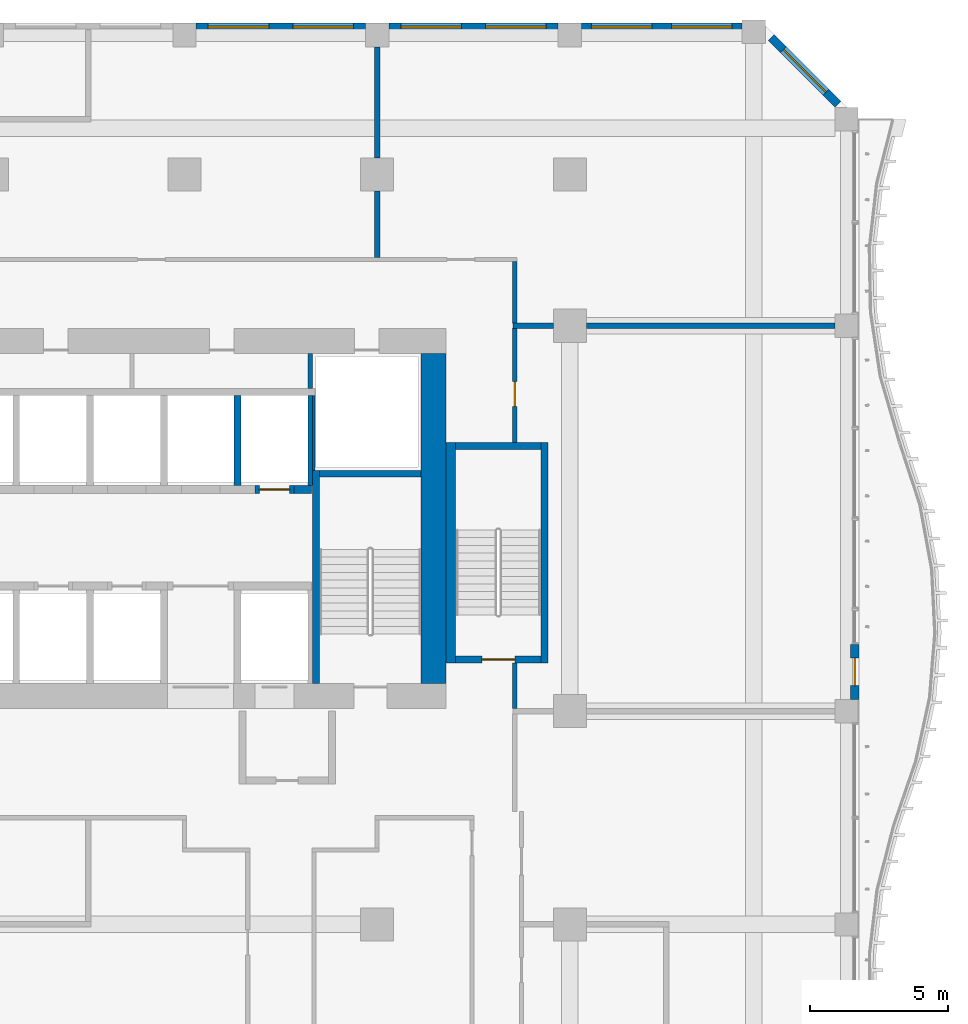
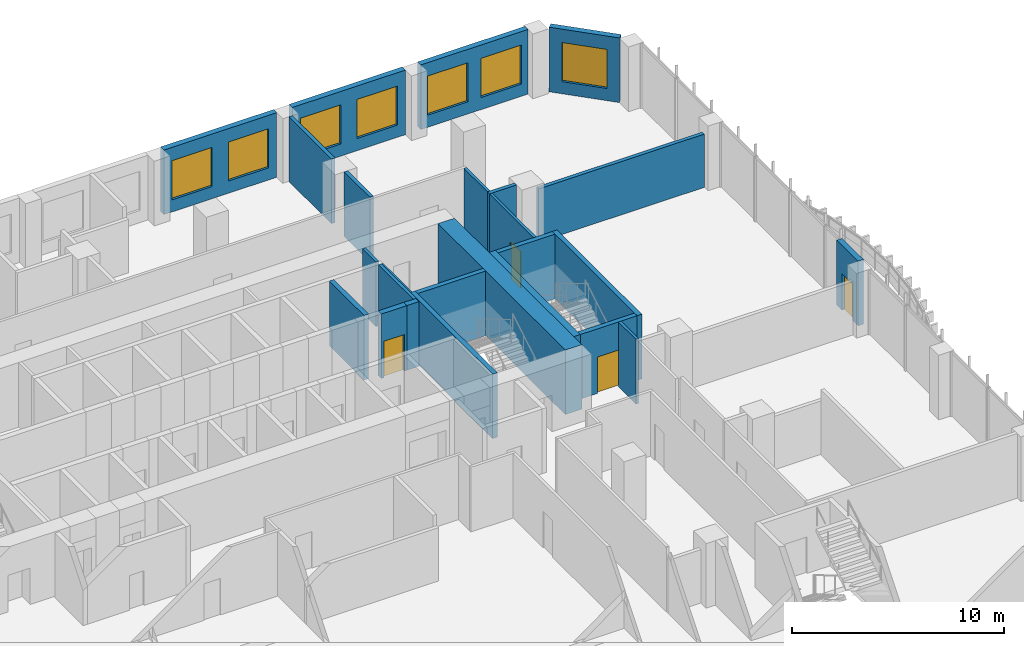
# One storey, part 17 of 26: 25 walls, 7 windows, 4 doors, 11 openings.
"""IFC4 building model written with IfcOpenShell, lengths in metres."""

from ifc_helpers import new_model, si_unit, direction, frame, frame_2d, origin, place, context, subcontext, project, spatial, rectangle, extrude, source, transform, mapped, material, layer, layer_set, type_object, element, fill, save


model = new_model("IFC4")

# Units and contexts
model_context = context("Model", 3, precision=1e-05, world=origin(), true_north=direction((0.0, 1.0)))
body_context = subcontext(model_context, "Body", "Model", "MODEL_VIEW")
ifc_project = project(units=[si_unit("LENGTHUNIT", "METRE"), si_unit("AREAUNIT", "SQUARE_METRE"), si_unit("VOLUMEUNIT", "CUBIC_METRE"), si_unit("PLANEANGLEUNIT", "RADIAN"), si_unit("MASSUNIT", "GRAM", prefix="KILO")], contexts=[model_context])

# Site, building, storey
site_placement = place(None, origin())
site = spatial("IfcSite", under=ifc_project, at=site_placement, CompositionType="ELEMENT")
building_placement = place(site_placement, origin())
building = spatial("IfcBuilding", under=site, at=building_placement, Name="Kilnfold Tower and Market Hall", CompositionType="ELEMENT")
storey_placement = place(building_placement, frame((0.0, 0.0, 104.60009765625)))
storey = spatial("IfcBuildingStorey", under=building, at=storey_placement, Name="L24", CompositionType="ELEMENT", Elevation=104.60009765625)

# Wall, opening, door
ifc_material_1 = material(Name="Gypsum board on steel studs", Category="steel")
ifc_layer_1 = layer(ifc_material_1, 0.14990234375)
ifc_layer_set_1 = layer_set([ifc_layer_1], Name="Gypsum board on steel studs")
wall_type_1 = type_object("IfcWallType", Name="WALL CORRIDOR 150", PredefinedType="PARTITIONING", material=ifc_layer_set_1)
wall_1_placement = place(storey_placement, frame((20.5, 17.75, 0.0), z_axis=(0.0, 0.0, 1.0), x_axis=(0.0, 1.0, 0.0)))
wall_1 = element("IfcWall", 1, at=wall_1_placement, inside=storey, type_object=wall_type_1, Name="Partition LY16.31", PredefinedType="PARTITIONING", context=body_context, shape_type="SweptSolid", body=[
    extrude(rectangle(XDim=4.159912109375, YDim=0.14990234375, at=frame_2d((2.080078125, 0.0))), origin(), (0.0, 0.0, 1.0), 3.719970703125),
])
opening_1_placement = place(wall_1_placement, frame((1.323974609375, 0.0, 0.0)))
opening_1 = element("IfcOpeningElement", 2, at=opening_1_placement, cuts=wall_1, Name="Opening D2", PredefinedType="OPENING", context=body_context, shape_type="SweptSolid", body=[
    extrude(rectangle(XDim=0.89990234375, YDim=2.10009765625, at=frame_2d((0.449951171875, 1.050048828125))), frame((0.0, 0.0849609375, 0.0), z_axis=(0.0, -1.0, 0.0), x_axis=(1.0, 0.0, 0.0)), (0.0, 0.0, 1.0), 0.169921875),
])
ifc_material_2 = material(Name="Timber veneer door leaf in steel frame", Category="steel")
door_type_1 = type_object("IfcDoorType", Name="DOOR ROOM 900 X2100", OperationType="NOTDEFINED", PredefinedType="DOOR", material=ifc_material_2)
door_1_placement = place(opening_1_placement, origin())
door_1 = element("IfcDoor", 3, at=door_1_placement, inside=storey, type_object=door_type_1, Name="Door D2", OperationType="SINGLE_SWING_RIGHT", OverallHeight=2.10009765625, OverallWidth=0.89990234375, PredefinedType="DOOR", context=body_context, shape_type="SweptSolid", body=[
    extrude(rectangle(XDim=0.89990234375, YDim=2.10009765625, at=frame_2d((0.449951171875, 1.050048828125))), frame((0.0, 0.02490234375, 0.0), z_axis=(0.0, -1.0, 0.0), x_axis=(1.0, 0.0, 0.0)), (0.0, 0.0, 1.0), 0.050048828125),
])
fill(opening_1, door_1)

# Walls
wall_2_placement = place(storey_placement, frame((20.5, 8.090087890625, 0.0), z_axis=(0.0, 0.0, 1.0), x_axis=(0.0, 1.0, 0.0)))
element("IfcWall", 4, at=wall_2_placement, inside=storey, type_object=wall_type_1, Name="Partition LY16.32", PredefinedType="PARTITIONING", context=body_context, shape_type="SweptSolid", body=[
    extrude(rectangle(XDim=1.659912109375, YDim=0.14990234375, at=frame_2d((0.830078125, 0.0))), origin(), (0.0, 0.0, 1.0), 3.719970703125),
])
wall_3_placement = place(storey_placement, frame((20.5, 22.090087890625, 0.0), z_axis=(0.0, 0.0, 1.0), x_axis=(0.0, 1.0, 0.0)))
element("IfcWall", 5, at=wall_3_placement, inside=storey, type_object=wall_type_1, Name="Partition LY16.33", PredefinedType="PARTITIONING", context=body_context, shape_type="SweptSolid", body=[
    extrude(rectangle(XDim=2.23486328125, YDim=0.14990234375, at=frame_2d((1.117431640625, 0.0))), origin(), (0.0, 0.0, 1.0), 3.719970703125),
])
ifc_material_3 = material(Name="Gypsum board on steel studs", Category="steel")
ifc_layer_2 = layer(ifc_material_3, 0.199951171875)
ifc_layer_set_2 = layer_set([ifc_layer_2], Name="Gypsum board on steel studs")
wall_type_2 = type_object("IfcWallType", Name="WALL PARTY 200", PredefinedType="PARTITIONING", material=ifc_layer_set_2)
wall_4_placement = place(storey_placement, frame((23.10009765625, 22.0, 0.0), z_axis=(0.0, 0.0, 1.0), x_axis=(1.0, 0.0, 0.0)))
element("IfcWall", 6, at=wall_4_placement, inside=storey, type_object=wall_type_2, Name="Partition LY16.59", PredefinedType="PARTITIONING", context=body_context, shape_type="SweptSolid", body=[
    extrude(rectangle(XDim=9.02490234375, YDim=0.199951171875, at=frame_2d((4.512451171875, 0.0))), origin(), (0.0, 0.0, 1.0), 3.06982421875),
])
wall_5_placement = place(storey_placement, frame((20.426025390625, 22.0, 0.0), z_axis=(0.0, 0.0, 1.0), x_axis=(1.0, 0.0, 0.0)))
element("IfcWall", 7, at=wall_5_placement, inside=storey, type_object=wall_type_2, Name="Partition LY16.60", PredefinedType="PARTITIONING", context=body_context, shape_type="SweptSolid", body=[
    extrude(rectangle(XDim=1.473876953125, YDim=0.199951171875, at=frame_2d((0.73681640625, 0.0))), origin(), (0.0, 0.0, 1.0), 3.719970703125),
])
wall_6_placement = place(storey_placement, frame((15.5, 28.10009765625, 0.0), z_axis=(0.0, 0.0, 1.0), x_axis=(0.0, 1.0, 0.0)))
element("IfcWall", 8, at=wall_6_placement, inside=storey, type_object=wall_type_2, Name="Partition LY16.61", PredefinedType="PARTITIONING", context=body_context, shape_type="SweptSolid", body=[
    extrude(rectangle(XDim=4.02490234375, YDim=0.199951171875, at=frame_2d((2.012451171875, 0.0))), origin(), (0.0, 0.0, 1.0), 3.719970703125),
])
wall_7_placement = place(storey_placement, frame((15.5, 24.47607421875, 0.0), z_axis=(0.0, 0.0, 1.0), x_axis=(0.0, 1.0, 0.0)))
element("IfcWall", 9, at=wall_7_placement, inside=storey, type_object=wall_type_2, Name="Partition LY16.62", PredefinedType="PARTITIONING", context=body_context, shape_type="SweptSolid", body=[
    extrude(rectangle(XDim=2.423828125, YDim=0.199951171875, at=frame_2d((1.2119140625, 0.0))), origin(), (0.0, 0.0, 1.0), 3.719970703125),
])
ifc_material_4 = material(Name="Concrete C70", Category="concrete")
ifc_layer_3 = layer(ifc_material_4, 0.25)
ifc_layer_set_3 = layer_set([ifc_layer_3], Name="Concrete C70")
wall_type_3 = type_object("IfcWallType", Name="CORE WALL 250 C70", PredefinedType="SHEAR", material=ifc_layer_set_3)
shared_shape_1 = source(origin(), body_context, "Body", "SweptSolid", [
    extrude(rectangle(XDim=7.75, YDim=0.25, at=frame_2d((3.875, 0.0))), origin(), (0.0, 0.0, 1.0), 3.719970703125),
])
wall_8_placement = place(storey_placement, frame((13.27490234375, 9.0, 0.0), z_axis=(0.0, 0.0, 1.0), x_axis=(0.0, 1.0, 0.0)))
element("IfcWall", 10, at=wall_8_placement, inside=storey, type_object=wall_type_3, Name="Stair enclosure ST2", PredefinedType="SHEAR", context=body_context, shape_type="MappedRepresentation", body=[
    mapped(shared_shape_1, transform((0.0, 0.0, 0.0))),
])
shared_shape_2 = source(origin(), body_context, "Body", "SweptSolid", [
    extrude(rectangle(XDim=3.7001953125, YDim=0.25, at=frame_2d((1.85009765625, 0.0))), origin(), (0.0, 0.0, 1.0), 3.719970703125),
])
wall_9_placement = place(storey_placement, frame((13.39990234375, 16.625, 0.0), z_axis=(0.0, 0.0, 1.0), x_axis=(1.0, 0.0, 0.0)))
element("IfcWall", 11, at=wall_9_placement, inside=storey, type_object=wall_type_3, Name="Stair enclosure ST2", PredefinedType="SHEAR", context=body_context, shape_type="MappedRepresentation", body=[
    mapped(shared_shape_2, transform((0.0, 0.0, 0.0))),
])
shared_shape_3 = source(origin(), body_context, "Body", "SweptSolid", [
    extrude(rectangle(XDim=8.0, YDim=0.25, at=frame_2d((4.0, 0.0))), origin(), (0.0, 0.0, 1.0), 3.719970703125),
])
wall_10_placement = place(storey_placement, frame((21.574951171875, 9.75, 0.0), z_axis=(0.0, 0.0, 1.0), x_axis=(0.0, 1.0, 0.0)))
element("IfcWall", 12, at=wall_10_placement, inside=storey, type_object=wall_type_3, Name="Stair enclosure ST5", PredefinedType="SHEAR", context=body_context, shape_type="MappedRepresentation", body=[
    mapped(shared_shape_3, transform((0.0, 0.0, 0.0))),
])

# Wall, opening, door
shared_shape_4 = source(origin(), body_context, "Body", "SweptSolid", [
    extrude(rectangle(XDim=3.099853515625, YDim=0.25, at=frame_2d((1.5498046875, 0.0))), origin(), (0.0, 0.0, 1.0), 3.719970703125),
])
wall_11_placement = place(storey_placement, frame((18.35009765625, 9.875, 0.0), z_axis=(0.0, 0.0, 1.0), x_axis=(1.0, 0.0, 0.0)))
wall_11 = element("IfcWall", 13, at=wall_11_placement, inside=storey, type_object=wall_type_3, Name="Stair enclosure ST5", PredefinedType="SHEAR", context=body_context, shape_type="MappedRepresentation", body=[
    mapped(shared_shape_4, transform((0.0, 0.0, 0.0))),
])
opening_2_placement = place(wall_11_placement, frame((0.949951171875, 0.0, 0.0)))
opening_2 = element("IfcOpeningElement", 14, at=opening_2_placement, cuts=wall_11, Name="Opening SD1", PredefinedType="OPENING", context=body_context, shape_type="SweptSolid", body=[
    extrude(rectangle(XDim=1.199951171875, YDim=2.10009765625, at=frame_2d((0.60009765625, 1.050048828125))), frame((0.0, 0.135009765625, 0.0), z_axis=(0.0, -1.0, 0.0), x_axis=(1.0, 0.0, 0.0)), (0.0, 0.0, 1.0), 0.27001953125),
])
ifc_material_5 = material(Name="Steel door set with fire-resisting leaf", Category="steel")
door_type_2 = type_object("IfcDoorType", Name="STAIR FLOOR DOOR 1200X2100", OperationType="NOTDEFINED", PredefinedType="DOOR", material=ifc_material_5)
door_2_placement = place(opening_2_placement, origin())
door_2 = element("IfcDoor", 15, at=door_2_placement, inside=storey, type_object=door_type_2, Name="Exit stair ST5 door", OperationType="DOUBLE_DOOR_SINGLE_SWING", OverallHeight=2.10009765625, OverallWidth=1.199951171875, PredefinedType="DOOR", context=body_context, shape_type="SweptSolid", body=[
    extrude(rectangle(XDim=1.199951171875, YDim=2.10009765625, at=frame_2d((0.60009765625, 1.050048828125))), frame((0.0, 0.02490234375, 0.0), z_axis=(0.0, -1.0, 0.0), x_axis=(1.0, 0.0, 0.0)), (0.0, 0.0, 1.0), 0.050048828125),
])
fill(opening_2, door_2)

# Walls
wall_12_placement = place(storey_placement, frame((18.35009765625, 17.625, 0.0), z_axis=(0.0, 0.0, 1.0), x_axis=(1.0, 0.0, 0.0)))
element("IfcWall", 16, at=wall_12_placement, inside=storey, type_object=wall_type_3, Name="Stair enclosure ST5", PredefinedType="SHEAR", context=body_context, shape_type="MappedRepresentation", body=[
    mapped(shared_shape_4, transform((0.0, 0.0, 0.0))),
])
ifc_material_6 = material(Name="Concrete C70", Category="concrete")
ifc_layer_4 = layer(ifc_material_6, 0.300048828125)
ifc_layer_set_4 = layer_set([ifc_layer_4], Name="Concrete C70")
wall_type_4 = type_object("IfcWallType", Name="CORE WALL 300 C70", PredefinedType="SHEAR", material=ifc_layer_set_4)
shared_shape_5 = source(origin(), body_context, "Body", "SweptSolid", [
    extrude(rectangle(XDim=0.64013671875, YDim=0.300048828125, at=frame_2d((0.320068359375, 0.0))), origin(), (0.0, 0.0, 1.0), 3.719970703125),
])
wall_13_placement = place(storey_placement, frame((12.469970703125, 16.050048828125, 0.0), z_axis=(0.0, 0.0, 1.0), x_axis=(1.0, 0.0, 0.0)))
element("IfcWall", 17, at=wall_13_placement, inside=storey, type_object=wall_type_4, Name="Core spine wall", PredefinedType="SHEAR", context=body_context, shape_type="MappedRepresentation", body=[
    mapped(shared_shape_5, transform((0.0, 0.0, 0.0))),
])
ifc_material_7 = material(Name="Concrete C70", Category="concrete")
ifc_layer_5 = layer(ifc_material_7, 0.89990234375)
ifc_layer_set_5 = layer_set([ifc_layer_5], Name="Concrete C70")
wall_type_5 = type_object("IfcWallType", Name="CORE WALL 900 C70", PredefinedType="SHEAR", material=ifc_layer_set_5)
shared_shape_6 = source(origin(), body_context, "Body", "SweptSolid", [
    extrude(rectangle(XDim=12.0, YDim=0.89990234375, at=frame_2d((6.0, 0.0))), origin(), (0.0, 0.0, 1.0), 3.719970703125),
])
wall_14_placement = place(storey_placement, frame((17.550048828125, 9.0, 0.0), z_axis=(0.0, 0.0, 1.0), x_axis=(0.0, 1.0, 0.0)))
element("IfcWall", 18, at=wall_14_placement, inside=storey, type_object=wall_type_5, Name="Core outer wall east", PredefinedType="SHEAR", context=body_context, shape_type="MappedRepresentation", body=[
    mapped(shared_shape_6, transform((0.0, 0.0, 0.0))),
])
ifc_material_8 = material(Name="Concrete C70", Category="concrete")
ifc_layer_6 = layer(ifc_material_8, 0.35009765625)
ifc_layer_set_6 = layer_set([ifc_layer_6], Name="Concrete C70")
wall_type_6 = type_object("IfcWallType", Name="CORE WALL 350 C70", PredefinedType="SHEAR", material=ifc_layer_set_6)
shared_shape_7 = source(origin(), body_context, "Body", "SweptSolid", [
    extrude(rectangle(XDim=8.0, YDim=0.35009765625, at=frame_2d((4.0, 0.0))), origin(), (0.0, 0.0, 1.0), 3.719970703125),
])
wall_15_placement = place(storey_placement, frame((18.175048828125, 9.75, 0.0), z_axis=(0.0, 0.0, 1.0), x_axis=(0.0, 1.0, 0.0)))
element("IfcWall", 19, at=wall_15_placement, inside=storey, type_object=wall_type_6, Name="Stair enclosure ST5", PredefinedType="SHEAR", context=body_context, shape_type="MappedRepresentation", body=[
    mapped(shared_shape_7, transform((0.0, 0.0, 0.0))),
])

# Wall, opening, door
ifc_material_9 = material(Name="Precast concrete C50/60", Category="concrete")
ifc_layer_7 = layer(ifc_material_9, 0.300048828125)
ifc_layer_set_7 = layer_set([ifc_layer_7], Name="Precast concrete C50/60")
wall_type_7 = type_object("IfcWallType", Name="PRECAST WALL 300", PredefinedType="SOLIDWALL", material=ifc_layer_set_7)
shared_shape_8 = source(origin(), body_context, "Body", "SweptSolid", [
    extrude(rectangle(XDim=2.0, YDim=0.300048828125, at=frame_2d((1.0, 0.0))), origin(), (0.0, 0.0, 1.0), 3.719970703125),
])
wall_16_placement = place(storey_placement, frame((32.85009765625, 8.425048828125, 0.0), z_axis=(0.0, 0.0, 1.0), x_axis=(0.0, 1.0, 0.0)))
wall_16 = element("IfcWall", 20, at=wall_16_placement, inside=storey, type_object=wall_type_7, Name="External wall L24 E", PredefinedType="SOLIDWALL", context=body_context, shape_type="MappedRepresentation", body=[
    mapped(shared_shape_8, transform((0.0, 0.0, 0.0))),
])
opening_3_placement = place(wall_16_placement, frame((0.5, 0.0, 0.0)))
opening_3 = element("IfcOpeningElement", 21, at=opening_3_placement, cuts=wall_16, Name="Opening BD1", PredefinedType="OPENING", context=body_context, shape_type="SweptSolid", body=[
    extrude(rectangle(XDim=1.0, YDim=2.10009765625, at=frame_2d((0.5, 1.050048828125))), frame((0.0, 0.16015625, 0.0), z_axis=(0.0, -1.0, 0.0), x_axis=(1.0, 0.0, 0.0)), (0.0, 0.0, 1.0), 0.320068359375),
])
ifc_material_10 = material(Name="Aluminium frame and double glazing", Category="aluminium")
door_type_3 = type_object("IfcDoorType", Name="BALCONY DOOR 1000X2100", OperationType="NOTDEFINED", PredefinedType="DOOR", material=ifc_material_10)
door_3_placement = place(opening_3_placement, origin())
door_3 = element("IfcDoor", 22, at=door_3_placement, inside=storey, type_object=door_type_3, Name="Balcony door BD1 L24 E-1", OperationType="SINGLE_SWING_LEFT", OverallHeight=2.10009765625, OverallWidth=1.0, PredefinedType="DOOR", context=body_context, shape_type="SweptSolid", body=[
    extrude(rectangle(XDim=1.0, YDim=2.10009765625, at=frame_2d((0.5, 1.050048828125))), frame((0.0, 0.02490234375, 0.0), z_axis=(0.0, -1.0, 0.0), x_axis=(1.0, 0.0, 0.0)), (0.0, 0.0, 1.0), 0.050048828125),
])
fill(opening_3, door_3)

# Wall, opening, window
shared_shape_9 = source(origin(), body_context, "Body", "SweptSolid", [
    extrude(rectangle(XDim=3.429443359375, YDim=0.300048828125, at=frame_2d((1.71484375, 0.0))), origin(), (0.0, 0.0, 1.0), 3.719970703125),
])
wall_17_placement = place(storey_placement, frame((32.243896484375, 30.0439453125, 0.0), z_axis=(0.0, 0.0, 1.0), x_axis=(-0.707106781187, 0.707106781187, 0.0)))
wall_17 = element("IfcWall", 23, at=wall_17_placement, inside=storey, type_object=wall_type_7, Name="External wall L24 NE", PredefinedType="SOLIDWALL", context=body_context, shape_type="MappedRepresentation", body=[
    mapped(shared_shape_9, transform((0.0, 0.0, 0.0))),
])
opening_4_placement = place(wall_17_placement, frame((0.61474609375, 0.0, 0.699951171875)))
opening_4 = element("IfcOpeningElement", 24, at=opening_4_placement, cuts=wall_17, Name="Opening W1", PredefinedType="OPENING", context=body_context, shape_type="SweptSolid", body=[
    extrude(rectangle(XDim=2.199951171875, YDim=2.25, at=frame_2d((1.10009765625, 1.125))), frame((0.0, 0.16015625, 0.0), z_axis=(0.0, -1.0, 0.0), x_axis=(1.0, 0.0, 0.0)), (0.0, 0.0, 1.0), 0.320068359375),
])
ifc_material_11 = material(Name="Aluminium frame and double glazing", Category="aluminium")
window_type = type_object("IfcWindowType", Name="WINDOW W1 2200X2250", PartitioningType="SINGLE_PANEL", PredefinedType="WINDOW", material=ifc_material_11)
window_1_placement = place(opening_4_placement, origin())
window_1 = element("IfcWindow", 25, at=window_1_placement, inside=storey, type_object=window_type, Name="Window W1 L24 NE-1", OverallHeight=2.25, OverallWidth=2.199951171875, PartitioningType="SINGLE_PANEL", PredefinedType="WINDOW", context=body_context, shape_type="SweptSolid", body=[
    extrude(rectangle(XDim=2.199951171875, YDim=2.25, at=frame_2d((1.10009765625, 1.125))), frame((0.0, 0.030029296875, 0.0), z_axis=(0.0, -1.0, 0.0), x_axis=(1.0, 0.0, 0.0)), (0.0, 0.0, 1.0), 0.06005859375),
])
fill(opening_4, window_1)

# Wall, openings, windows
shared_shape_10 = source(origin(), body_context, "Body", "SweptSolid", [
    extrude(rectangle(XDim=5.831787109375, YDim=0.300048828125, at=frame_2d((2.916015625, 0.0))), origin(), (0.0, 0.0, 1.0), 3.719970703125),
])
wall_18_placement = place(storey_placement, frame((28.7568359375, 32.85009765625, 0.0), z_axis=(0.0, 0.0, 1.0), x_axis=(-1.0, 0.0, 0.0)))
wall_18 = element("IfcWall", 26, at=wall_18_placement, inside=storey, type_object=wall_type_7, Name="External wall L24 N", PredefinedType="SOLIDWALL", context=body_context, shape_type="MappedRepresentation", body=[
    mapped(shared_shape_10, transform((0.0, 0.0, 0.0))),
])
opening_5_placement = place(wall_18_placement, frame((0.35791015625, 0.0, 0.699951171875)))
opening_5 = element("IfcOpeningElement", 27, at=opening_5_placement, cuts=wall_18, Name="Opening W1", PredefinedType="OPENING", context=body_context, shape_type="SweptSolid", body=[
    extrude(rectangle(XDim=2.199951171875, YDim=2.25, at=frame_2d((1.10009765625, 1.125))), frame((0.0, 0.16015625, 0.0), z_axis=(0.0, -1.0, 0.0), x_axis=(1.0, 0.0, 0.0)), (0.0, 0.0, 1.0), 0.320068359375),
])
opening_6_placement = place(wall_18_placement, frame((3.273681640625, 0.0, 0.699951171875)))
opening_6 = element("IfcOpeningElement", 28, at=opening_6_placement, cuts=wall_18, Name="Opening W1", PredefinedType="OPENING", context=body_context, shape_type="SweptSolid", body=[
    extrude(rectangle(XDim=2.199951171875, YDim=2.25, at=frame_2d((1.10009765625, 1.125))), frame((0.0, 0.16015625, 0.0), z_axis=(0.0, -1.0, 0.0), x_axis=(1.0, 0.0, 0.0)), (0.0, 0.0, 1.0), 0.320068359375),
])
window_2_placement = place(opening_5_placement, origin())
window_2 = element("IfcWindow", 29, at=window_2_placement, inside=storey, type_object=window_type, Name="Window W1 L24 N-1", OverallHeight=2.25, OverallWidth=2.199951171875, PartitioningType="SINGLE_PANEL", PredefinedType="WINDOW", context=body_context, shape_type="SweptSolid", body=[
    extrude(rectangle(XDim=2.199951171875, YDim=2.25, at=frame_2d((1.10009765625, 1.125))), frame((0.0, 0.030029296875, 0.0), z_axis=(0.0, -1.0, 0.0), x_axis=(1.0, 0.0, 0.0)), (0.0, 0.0, 1.0), 0.06005859375),
])
fill(opening_5, window_2)
window_3_placement = place(opening_6_placement, origin())
window_3 = element("IfcWindow", 30, at=window_3_placement, inside=storey, type_object=window_type, Name="Window W1 L24 N-2", OverallHeight=2.25, OverallWidth=2.199951171875, PartitioningType="SINGLE_PANEL", PredefinedType="WINDOW", context=body_context, shape_type="SweptSolid", body=[
    extrude(rectangle(XDim=2.199951171875, YDim=2.25, at=frame_2d((1.10009765625, 1.125))), frame((0.0, 0.030029296875, 0.0), z_axis=(0.0, -1.0, 0.0), x_axis=(1.0, 0.0, 0.0)), (0.0, 0.0, 1.0), 0.06005859375),
])
fill(opening_6, window_3)

shared_shape_11 = source(origin(), body_context, "Body", "SweptSolid", [
    extrude(rectangle(XDim=6.14990234375, YDim=0.300048828125, at=frame_2d((3.074951171875, 0.0))), origin(), (0.0, 0.0, 1.0), 3.719970703125),
])
wall_19_placement = place(storey_placement, frame((22.074951171875, 32.85009765625, 0.0), z_axis=(0.0, 0.0, 1.0), x_axis=(-1.0, 0.0, 0.0)))
wall_19 = element("IfcWall", 31, at=wall_19_placement, inside=storey, type_object=wall_type_7, Name="External wall L24 N", PredefinedType="SOLIDWALL", context=body_context, shape_type="MappedRepresentation", body=[
    mapped(shared_shape_11, transform((0.0, 0.0, 0.0))),
])
opening_7_placement = place(wall_19_placement, frame((0.4375, 0.0, 0.699951171875)))
opening_7 = element("IfcOpeningElement", 32, at=opening_7_placement, cuts=wall_19, Name="Opening W1", PredefinedType="OPENING", context=body_context, shape_type="SweptSolid", body=[
    extrude(rectangle(XDim=2.199951171875, YDim=2.25, at=frame_2d((1.10009765625, 1.125))), frame((0.0, 0.16015625, 0.0), z_axis=(0.0, -1.0, 0.0), x_axis=(1.0, 0.0, 0.0)), (0.0, 0.0, 1.0), 0.320068359375),
])
opening_8_placement = place(wall_19_placement, frame((3.512451171875, 0.0, 0.699951171875)))
opening_8 = element("IfcOpeningElement", 33, at=opening_8_placement, cuts=wall_19, Name="Opening W1", PredefinedType="OPENING", context=body_context, shape_type="SweptSolid", body=[
    extrude(rectangle(XDim=2.199951171875, YDim=2.25, at=frame_2d((1.10009765625, 1.125))), frame((0.0, 0.16015625, 0.0), z_axis=(0.0, -1.0, 0.0), x_axis=(1.0, 0.0, 0.0)), (0.0, 0.0, 1.0), 0.320068359375),
])
window_4_placement = place(opening_7_placement, origin())
window_4 = element("IfcWindow", 34, at=window_4_placement, inside=storey, type_object=window_type, Name="Window W1 L24 N-1", OverallHeight=2.25, OverallWidth=2.199951171875, PartitioningType="SINGLE_PANEL", PredefinedType="WINDOW", context=body_context, shape_type="SweptSolid", body=[
    extrude(rectangle(XDim=2.199951171875, YDim=2.25, at=frame_2d((1.10009765625, 1.125))), frame((0.0, 0.030029296875, 0.0), z_axis=(0.0, -1.0, 0.0), x_axis=(1.0, 0.0, 0.0)), (0.0, 0.0, 1.0), 0.06005859375),
])
fill(opening_7, window_4)
window_5_placement = place(opening_8_placement, origin())
window_5 = element("IfcWindow", 35, at=window_5_placement, inside=storey, type_object=window_type, Name="Window W1 L24 N-2", OverallHeight=2.25, OverallWidth=2.199951171875, PartitioningType="SINGLE_PANEL", PredefinedType="WINDOW", context=body_context, shape_type="SweptSolid", body=[
    extrude(rectangle(XDim=2.199951171875, YDim=2.25, at=frame_2d((1.10009765625, 1.125))), frame((0.0, 0.030029296875, 0.0), z_axis=(0.0, -1.0, 0.0), x_axis=(1.0, 0.0, 0.0)), (0.0, 0.0, 1.0), 0.06005859375),
])
fill(opening_8, window_5)

wall_20_placement = place(storey_placement, frame((15.074951171875, 32.85009765625, 0.0), z_axis=(0.0, 0.0, 1.0), x_axis=(-1.0, 0.0, 0.0)))
wall_20 = element("IfcWall", 36, at=wall_20_placement, inside=storey, type_object=wall_type_7, Name="External wall L24 N", PredefinedType="SOLIDWALL", context=body_context, shape_type="MappedRepresentation", body=[
    mapped(shared_shape_11, transform((0.0, 0.0, 0.0))),
])
opening_9_placement = place(wall_20_placement, frame((0.4375, 0.0, 0.699951171875)))
opening_9 = element("IfcOpeningElement", 37, at=opening_9_placement, cuts=wall_20, Name="Opening W1", PredefinedType="OPENING", context=body_context, shape_type="SweptSolid", body=[
    extrude(rectangle(XDim=2.199951171875, YDim=2.25, at=frame_2d((1.10009765625, 1.125))), frame((0.0, 0.16015625, 0.0), z_axis=(0.0, -1.0, 0.0), x_axis=(1.0, 0.0, 0.0)), (0.0, 0.0, 1.0), 0.320068359375),
])
opening_10_placement = place(wall_20_placement, frame((3.512451171875, 0.0, 0.699951171875)))
opening_10 = element("IfcOpeningElement", 38, at=opening_10_placement, cuts=wall_20, Name="Opening W1", PredefinedType="OPENING", context=body_context, shape_type="SweptSolid", body=[
    extrude(rectangle(XDim=2.199951171875, YDim=2.25, at=frame_2d((1.10009765625, 1.125))), frame((0.0, 0.16015625, 0.0), z_axis=(0.0, -1.0, 0.0), x_axis=(1.0, 0.0, 0.0)), (0.0, 0.0, 1.0), 0.320068359375),
])
window_6_placement = place(opening_9_placement, origin())
window_6 = element("IfcWindow", 39, at=window_6_placement, inside=storey, type_object=window_type, Name="Window W1 L24 N-1", OverallHeight=2.25, OverallWidth=2.199951171875, PartitioningType="SINGLE_PANEL", PredefinedType="WINDOW", context=body_context, shape_type="SweptSolid", body=[
    extrude(rectangle(XDim=2.199951171875, YDim=2.25, at=frame_2d((1.10009765625, 1.125))), frame((0.0, 0.030029296875, 0.0), z_axis=(0.0, -1.0, 0.0), x_axis=(1.0, 0.0, 0.0)), (0.0, 0.0, 1.0), 0.06005859375),
])
fill(opening_9, window_6)
window_7_placement = place(opening_10_placement, origin())
window_7 = element("IfcWindow", 40, at=window_7_placement, inside=storey, type_object=window_type, Name="Window W1 L24 N-2", OverallHeight=2.25, OverallWidth=2.199951171875, PartitioningType="SINGLE_PANEL", PredefinedType="WINDOW", context=body_context, shape_type="SweptSolid", body=[
    extrude(rectangle(XDim=2.199951171875, YDim=2.25, at=frame_2d((1.10009765625, 1.125))), frame((0.0, 0.030029296875, 0.0), z_axis=(0.0, -1.0, 0.0), x_axis=(1.0, 0.0, 0.0)), (0.0, 0.0, 1.0), 0.06005859375),
])
fill(opening_10, window_7)

# Wall, opening, door
ifc_material_12 = material(Name="Gypsum shaft wall system")
ifc_layer_8 = layer(ifc_material_12, 0.300048828125)
ifc_layer_set_8 = layer_set([ifc_layer_8], Name="Gypsum shaft wall system")
wall_type_8 = type_object("IfcWallType", Name="SHAFT WALL 300", PredefinedType="PARTITIONING", material=ifc_layer_set_8)
shared_shape_12 = source(origin(), body_context, "Body", "SweptSolid", [
    extrude(rectangle(XDim=1.39990234375, YDim=0.300048828125, at=frame_2d((0.699951171875, 0.0))), origin(), (0.0, 0.0, 1.0), 3.719970703125),
])
wall_21_placement = place(storey_placement, frame((11.070068359375, 16.050048828125, 0.0), z_axis=(0.0, 0.0, 1.0), x_axis=(1.0, 0.0, 0.0)))
wall_21 = element("IfcWall", 41, at=wall_21_placement, inside=storey, type_object=wall_type_8, Name="Lift shaft front wall", PredefinedType="PARTITIONING", context=body_context, shape_type="MappedRepresentation", body=[
    mapped(shared_shape_12, transform((0.0, 0.0, 0.0))),
])
opening_11_placement = place(wall_21_placement, frame((0.14990234375, 0.0, 0.0)))
opening_11 = element("IfcOpeningElement", 42, at=opening_11_placement, cuts=wall_21, Name="Opening LD2", PredefinedType="OPENING", context=body_context, shape_type="SweptSolid", body=[
    extrude(rectangle(XDim=1.10009765625, YDim=2.10009765625, at=frame_2d((0.550048828125, 1.050048828125))), frame((0.0, 0.16015625, 0.0), z_axis=(0.0, -1.0, 0.0), x_axis=(1.0, 0.0, 0.0)), (0.0, 0.0, 1.0), 0.320068359375),
])
ifc_material_13 = material(Name="Steel door set with fire-resisting leaf", Category="steel")
door_type_4 = type_object("IfcDoorType", Name="LANDING DOOR 1100X2100", OperationType="NOTDEFINED", PredefinedType="DOOR", material=ifc_material_13)
door_4_placement = place(opening_11_placement, origin())
door_4 = element("IfcDoor", 43, at=door_4_placement, inside=storey, type_object=door_type_4, Name="Landing door LR6", OperationType="DOUBLE_DOOR_SLIDING", OverallHeight=2.10009765625, OverallWidth=1.10009765625, PredefinedType="DOOR", context=body_context, shape_type="SweptSolid", body=[
    extrude(rectangle(XDim=1.10009765625, YDim=2.10009765625, at=frame_2d((0.550048828125, 1.050048828125))), frame((0.0, 0.02490234375, 0.0), z_axis=(0.0, -1.0, 0.0), x_axis=(1.0, 0.0, 0.0)), (0.0, 0.0, 1.0), 0.050048828125),
])
fill(opening_11, door_4)

# Walls
ifc_material_14 = material(Name="Gypsum shaft wall system")
ifc_layer_9 = layer(ifc_material_14, 0.1650390625)
ifc_layer_set_9 = layer_set([ifc_layer_9], Name="Gypsum shaft wall system")
wall_type_9 = type_object("IfcWallType", Name="SHAFT WALL 165", PredefinedType="PARTITIONING", material=ifc_layer_set_9)
shared_shape_13 = source(origin(), body_context, "Body", "SweptSolid", [
    extrude(rectangle(XDim=3.275146484375, YDim=0.1650390625, at=frame_2d((1.6376953125, 0.0))), origin(), (0.0, 0.0, 1.0), 3.719970703125),
])
wall_22_placement = place(storey_placement, frame((13.0673828125, 16.199951171875, 0.0), z_axis=(0.0, 0.0, 1.0), x_axis=(0.0, 1.0, 0.0)))
element("IfcWall", 44, at=wall_22_placement, inside=storey, type_object=wall_type_9, Name="Lift shaft wall", PredefinedType="PARTITIONING", context=body_context, shape_type="MappedRepresentation", body=[
    mapped(shared_shape_13, transform((0.0, 0.0, 0.0))),
])
shared_shape_14 = source(origin(), body_context, "Body", "SweptSolid", [
    extrude(rectangle(XDim=1.27490234375, YDim=0.1650390625, at=frame_2d((0.637451171875, 0.0))), origin(), (0.0, 0.0, 1.0), 3.719970703125),
])
wall_23_placement = place(storey_placement, frame((13.0673828125, 19.72509765625, 0.0), z_axis=(0.0, 0.0, 1.0), x_axis=(0.0, 1.0, 0.0)))
element("IfcWall", 45, at=wall_23_placement, inside=storey, type_object=wall_type_9, Name="Lift shaft wall", PredefinedType="PARTITIONING", context=body_context, shape_type="MappedRepresentation", body=[
    mapped(shared_shape_14, transform((0.0, 0.0, 0.0))),
])
ifc_material_15 = material(Name="Gypsum shaft wall system")
ifc_layer_10 = layer(ifc_material_15, 0.25)
ifc_layer_set_10 = layer_set([ifc_layer_10], Name="Gypsum shaft wall system")
wall_type_10 = type_object("IfcWallType", Name="SHAFT WALL 250", PredefinedType="PARTITIONING", material=ifc_layer_set_10)
shared_shape_15 = source(origin(), body_context, "Body", "SweptSolid", [
    extrude(rectangle(XDim=3.275146484375, YDim=0.25, at=frame_2d((1.6376953125, 0.0))), origin(), (0.0, 0.0, 1.0), 3.719970703125),
])
wall_24_placement = place(storey_placement, frame((10.429931640625, 16.199951171875, 0.0), z_axis=(0.0, 0.0, 1.0), x_axis=(0.0, 1.0, 0.0)))
element("IfcWall", 46, at=wall_24_placement, inside=storey, type_object=wall_type_10, Name="Lift shaft wall", PredefinedType="PARTITIONING", context=body_context, shape_type="MappedRepresentation", body=[
    mapped(shared_shape_15, transform((0.0, 0.0, 0.0))),
])
ifc_material_16 = material(Name="Gypsum shaft wall system")
ifc_layer_11 = layer(ifc_material_16, 0.0849609375)
ifc_layer_set_11 = layer_set([ifc_layer_11], Name="Gypsum shaft wall system")
wall_type_11 = type_object("IfcWallType", Name="SHAFT WALL 85", PredefinedType="PARTITIONING", material=ifc_layer_set_11)
shared_shape_16 = source(origin(), body_context, "Body", "SweptSolid", [
    extrude(rectangle(XDim=2.72509765625, YDim=0.0849609375, at=frame_2d((1.362548828125, 0.0))), origin(), (0.0, 0.0, 1.0), 3.719970703125),
])
wall_25_placement = place(storey_placement, frame((13.1923828125, 16.75, 0.0), z_axis=(0.0, 0.0, 1.0), x_axis=(0.0, 1.0, 0.0)))
element("IfcWall", 47, at=wall_25_placement, inside=storey, type_object=wall_type_11, Name="Lift shaft wall", PredefinedType="PARTITIONING", context=body_context, shape_type="MappedRepresentation", body=[
    mapped(shared_shape_16, transform((0.0, 0.0, 0.0))),
])

save(model, "model.ifc")
